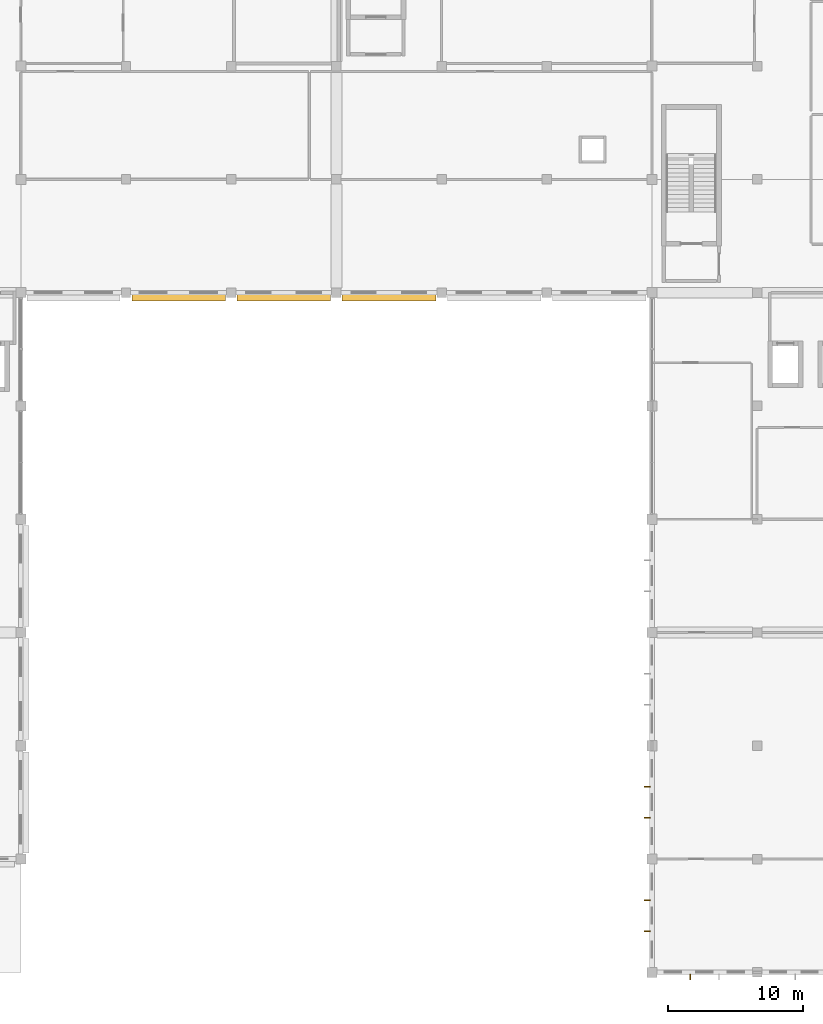
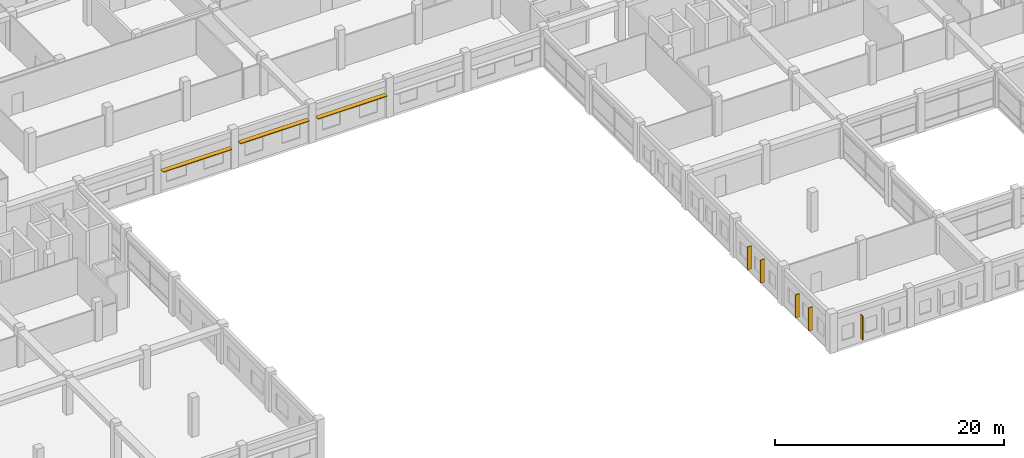
# One storey, part 47 of 53: 8 shading devices.
"""IFC4 building model written with IfcOpenShell, lengths in metres."""

from ifc_helpers import new_model, si_unit, direction, frame, origin, origin_2d, place, context, subcontext, project, spatial, rectangle, extrude, material, layer, layer_set, type_object, element, save


model = new_model("IFC4")

# Units and contexts
model_context = context("Model", 3, precision=1e-05, world=origin(), true_north=direction((0.0, 1.0)))
body_context = subcontext(model_context, "Body", "Model", "MODEL_VIEW")
ifc_project = project(units=[si_unit("LENGTHUNIT", "METRE"), si_unit("AREAUNIT", "SQUARE_METRE"), si_unit("VOLUMEUNIT", "CUBIC_METRE"), si_unit("PLANEANGLEUNIT", "RADIAN"), si_unit("MASSUNIT", "GRAM", prefix="KILO"), si_unit("THERMODYNAMICTEMPERATUREUNIT", "KELVIN"), si_unit("POWERUNIT", "WATT")], contexts=[model_context])

# Site, building, storey
site_placement = place(None, origin())
site = spatial("IfcSite", under=ifc_project, at=site_placement, CompositionType="ELEMENT")
building_placement = place(site_placement, origin())
building = spatial("IfcBuilding", under=site, at=building_placement, Name="Srebrne Nadtorze General Hospital", CompositionType="ELEMENT")
storey_placement = place(building_placement, frame((0.0, 0.0, 18.0)))
storey = spatial("IfcBuildingStorey", under=building, at=storey_placement, Name="L04", CompositionType="ELEMENT", Elevation=18.0)

# Shading devices
ifc_material_1 = material(Name="Anodised Aluminium", Category="aluminium")
ifc_layer_1 = layer(ifc_material_1, 0.080078125)
ifc_layer_set_1 = layer_set([ifc_layer_1], Name="Anodised Aluminium")
shading_device_type_1 = type_object("IfcShadingDeviceType", Name="Hisashi horizontal aluminium sunshade", PredefinedType="JALOUSIE", material=ifc_layer_set_1)
for number, where, z_axis, x_axis, name in (
    (1, (66.300048828125, 50.0400390625, 2.27001953125), (0.0, 0.0, 1.0), (1.0, 0.0, 0.0), "Hisashi horizontal sunshade eave LV-264"),
    (2, (74.10009765625, 50.0400390625, 2.570068359375), (0.0, 0.0, 1.0), (1.0, 0.0, 0.0), "Hisashi horizontal sunshade eave LV-265"),
    (3, (81.89990234375, 50.0400390625, 2.469970703125), (0.0, 0.0, 1.0), (1.0, 0.0, 0.0), "Hisashi horizontal sunshade eave LV-266"),
):
    element("IfcShadingDevice", number, at=place(storey_placement, frame(where, z_axis=z_axis, x_axis=x_axis)), inside=storey, type_object=shading_device_type_1, Name=name, PredefinedType="JALOUSIE", context=body_context, shape_type="SweptSolid", body=[
        extrude(rectangle(XDim=6.93994140625, YDim=0.47998046875, at=origin_2d()), origin(), (0.0, 0.0, 1.0), 0.080078125),
    ])
ifc_material_2 = material(Name="Anodised Aluminium", Category="aluminium")
ifc_layer_2 = layer(ifc_material_2, 0.070068359375)
ifc_layer_set_2 = layer_set([ifc_layer_2], Name="Anodised Aluminium")
shading_device_type_2 = type_object("IfcShadingDeviceType", Name="Koushi vertical brise-soleil fin", PredefinedType="SHUTTER", material=ifc_layer_set_2)
shading_device_placement = place(storey_placement, frame((104.251220703125, -0.35009765625, 0.466796875), z_axis=(0.0, 0.0, 1.0), x_axis=(1.0, 0.0, 0.0)))
element("IfcShadingDevice", 4, at=shading_device_placement, inside=storey, type_object=shading_device_type_2, Name="Clinic koushi vertical fin LV-248", PredefinedType="SHUTTER", context=body_context, shape_type="SweptSolid", body=[
    extrude(rectangle(XDim=0.070068359375, YDim=0.43994140625, at=origin_2d()), origin(), (0.0, 0.0, 1.0), 2.53466796875),
])
for number, where, z_axis, x_axis, name in (
    (5, (101.050048828125, 3.052490234375, 0.452880859375), (0.0, 0.0, 1.0), (1.0, 0.0, 0.0), "Clinic koushi vertical fin LV-278"),
    (6, (101.050048828125, 5.347412109375, 0.452880859375), (0.0, 0.0, 1.0), (1.0, 0.0, 0.0), "Clinic koushi vertical fin LV-279"),
    (7, (101.050048828125, 11.452392578125, 0.452880859375), (0.0, 0.0, 1.0), (1.0, 0.0, 0.0), "Clinic koushi vertical fin LV-280"),
    (8, (101.050048828125, 13.74755859375, 0.452880859375), (0.0, 0.0, 1.0), (1.0, 0.0, 0.0), "Clinic koushi vertical fin LV-281"),
):
    element("IfcShadingDevice", number, at=place(storey_placement, frame(where, z_axis=z_axis, x_axis=x_axis)), inside=storey, type_object=shading_device_type_2, Name=name, PredefinedType="SHUTTER", context=body_context, shape_type="SweptSolid", body=[
        extrude(rectangle(XDim=0.43994140625, YDim=0.070068359375, at=origin_2d()), origin(), (0.0, 0.0, 1.0), 2.45849609375),
    ])

save(model, "model.ifc")
